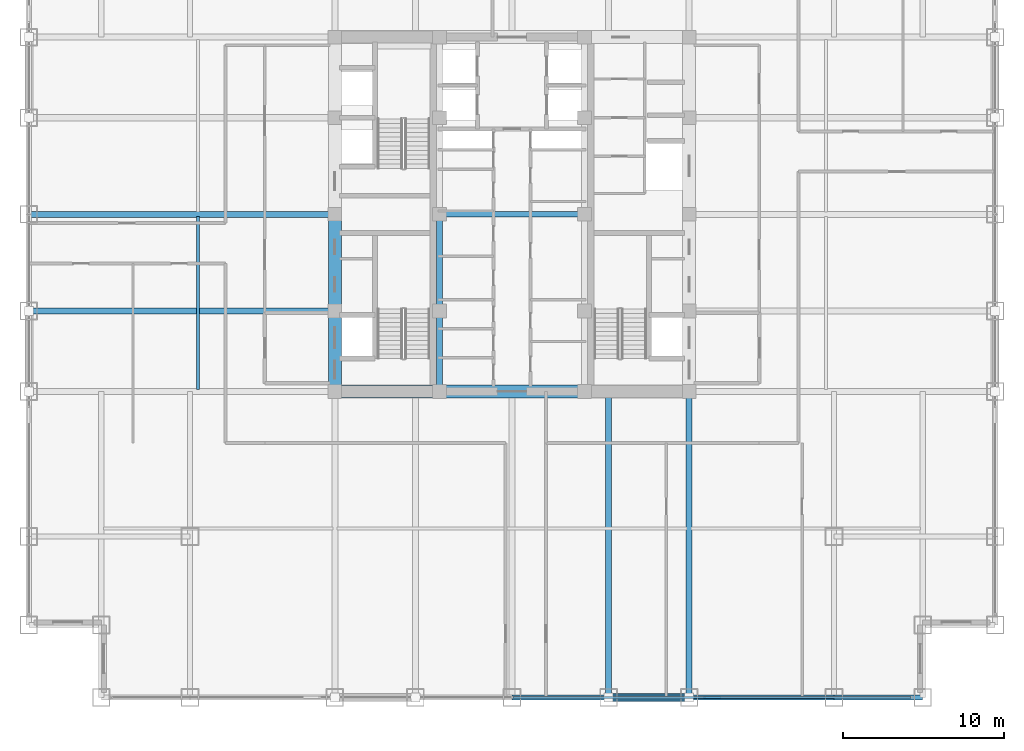
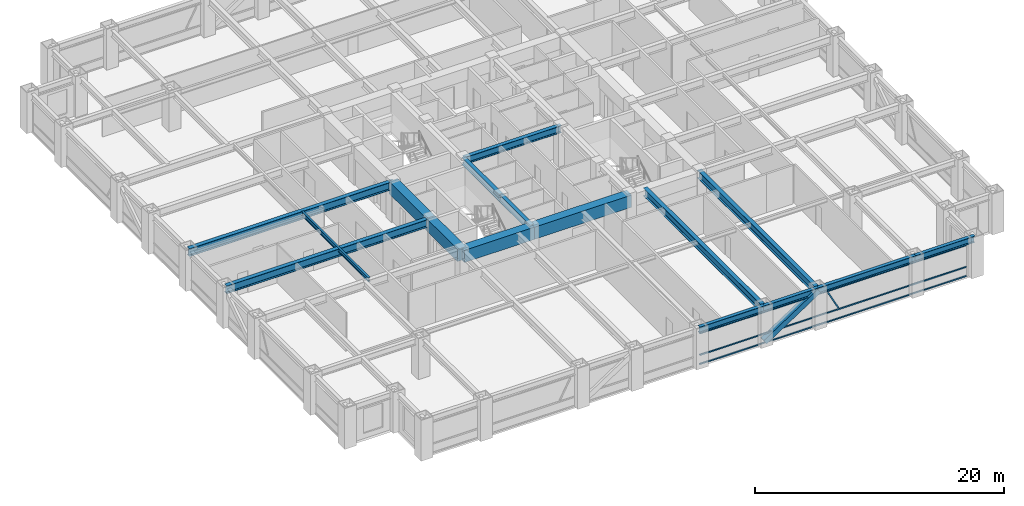
# One storey, part 7 of 25: 16 beams, 5 members, 1 element without a shape of its own.
"""IFC4 building model written with IfcOpenShell, lengths in metres."""

import ifcopenshell
import ifcopenshell.guid

model = None  # the IFC model being written
_history = None  # IfcOwnerHistory: only IFC2X3 demands one
_inside = {}  # id of a spatial element -> (the spatial element, [elements in it])
_under = {}  # id of a project, library or spatial element -> (it, [spatial elements below it])
_declared = {}  # id of a project -> (the project, [libraries it declares])
_typed = {}  # id of a type object -> (the type object, [elements of that type])
_made_of = {}  # id of a material, layer set ... -> (it, [elements and type objects made of it])


def new_model(schema):
    """Start an empty IFC model of exactly this schema.

    Asked for "IFC4X3", IfcOpenShell would pick the latest addendum, in which some entities
    have other attributes; the version numbers below select the first issue.
    IFC2X3 requires an IfcOwnerHistory on every rooted entity: one is made here for all.
    """
    global model, _history
    if schema == "IFC4X3":
        model = ifcopenshell.file(schema_version=(4, 3, 0, 0))
    else:
        model = ifcopenshell.file(schema=schema)
    _inside.clear()
    _under.clear()
    _declared.clear()
    _typed.clear()
    _made_of.clear()
    _history = None
    if model.schema == "IFC2X3":
        org = make("IfcOrganization", Name="unknown")
        user = make(
            "IfcPersonAndOrganization",
            ThePerson=make("IfcPerson", FamilyName="unknown"),
            TheOrganization=org,
        )
        app = make(
            "IfcApplication",
            ApplicationDeveloper=org,
            Version="unknown",
            ApplicationFullName="unknown",
            ApplicationIdentifier="unknown",
        )
        _history = make(
            "IfcOwnerHistory",
            OwningUser=user,
            OwningApplication=app,
            ChangeAction="ADDED",
            CreationDate=0,
        )
    return model


def make(cls, **values):
    """One entity of the class cls with the attributes given. An attribute that is None is left unset."""
    return model.create_entity(
        cls, **{name: value for name, value in values.items() if value is not None}
    )


def rooted(cls, **values):
    """An entity with a GlobalId (a new one), such as an element, a storey or a relation."""
    return make(cls, GlobalId=ifcopenshell.guid.new(), OwnerHistory=_history, **values)


def si_unit(unit_type, name, prefix=None):
    """IfcSIUnit, for example si_unit("LENGTHUNIT", "METRE", prefix="MILLI")."""
    return make("IfcSIUnit", UnitType=unit_type, Prefix=prefix, Name=name)


def assignment(units):
    """IfcUnitAssignment: the units of a project."""
    return None if units is None else make("IfcUnitAssignment", Units=units)


def point(xyz):
    """IfcCartesianPoint."""
    return None if xyz is None else make("IfcCartesianPoint", Coordinates=xyz)


def direction(xyz):
    """IfcDirection."""
    return None if xyz is None else make("IfcDirection", DirectionRatios=xyz)


def frame(location, z_axis=None, x_axis=None):
    """IfcAxis2Placement3D, a coordinate frame: its origin and axes. An axis left out is left unset."""
    return make(
        "IfcAxis2Placement3D",
        Location=point(location),
        Axis=direction(z_axis),
        RefDirection=direction(x_axis),
    )


def frame_2d(location, x_axis=None):
    """IfcAxis2Placement2D, a coordinate frame in the plane: its origin and x axis."""
    return make(
        "IfcAxis2Placement2D", Location=point(location), RefDirection=direction(x_axis)
    )


def origin():
    """The frame at (0, 0, 0) with its axes left unset."""
    return frame((0.0, 0.0, 0.0))


def origin_2d():
    """The frame at (0, 0) in the plane with its x axis left unset."""
    return frame_2d((0.0, 0.0))


def place(relative_to, where):
    """IfcLocalPlacement: puts the frame where relative to a parent placement (None: the world)."""
    return make(
        "IfcLocalPlacement", PlacementRelTo=relative_to, RelativePlacement=where
    )


def context(
    kind, dimensions, precision=None, world=None, true_north=None, identifier=None
):
    """IfcGeometricRepresentationContext, for example the 3D "Model" context."""
    return make(
        "IfcGeometricRepresentationContext",
        ContextIdentifier=identifier,
        ContextType=kind,
        CoordinateSpaceDimension=dimensions,
        Precision=precision,
        WorldCoordinateSystem=world,
        TrueNorth=true_north,
    )


def subcontext(parent, identifier, kind, view, scale=None):
    """IfcGeometricRepresentationSubContext, for example "Body" below "Model"."""
    return make(
        "IfcGeometricRepresentationSubContext",
        ContextIdentifier=identifier,
        ContextType=kind,
        ParentContext=parent,
        TargetScale=scale,
        TargetView=view,
    )


def project(units=None, contexts=None):
    """IfcProject with its units and contexts."""
    return rooted(
        "IfcProject",
        Name="project",
        RepresentationContexts=contexts,
        UnitsInContext=assignment(units),
    )


def spatial(cls, under=None, at=None, **own):
    """A site, building, storey or space (cls), placed at a placement, below another one or the project."""
    s = rooted(cls, ObjectPlacement=at, **own)
    if under is not None:
        _under.setdefault(under.id(), (under, []))[1].append(s)
    return s


def profile(cls, at=None, kind="AREA", **sizes):
    """A parametric profile (cls). Its sizes go by their IFC names, for example OverallWidth=200.0."""
    return make(cls, ProfileType=kind, Position=at, **sizes)


def rectangle(**sizes):
    """IfcRectangleProfileDef."""
    return profile("IfcRectangleProfileDef", **sizes)


def hollow_rectangle(**sizes):
    """IfcRectangleHollowProfileDef."""
    return profile("IfcRectangleHollowProfileDef", **sizes)


def i_section(**sizes):
    """IfcIShapeProfileDef."""
    return profile("IfcIShapeProfileDef", **sizes)


def extrude(swept, where, along, depth):
    """IfcExtrudedAreaSolid: the profile swept, set in the frame where, extruded along a direction by depth."""
    return make(
        "IfcExtrudedAreaSolid",
        SweptArea=swept,
        Position=where,
        ExtrudedDirection=direction(along),
        Depth=depth,
    )


def shape(context_of_items, identifier, shape_type, items):
    """IfcShapeRepresentation: the items that make up one representation, for example the "Body"."""
    return make(
        "IfcShapeRepresentation",
        ContextOfItems=context_of_items,
        RepresentationIdentifier=identifier,
        RepresentationType=shape_type,
        Items=items,
    )


def source(mapping_origin, context_of_items, identifier, shape_type, items):
    """IfcRepresentationMap: a shape defined once, which mapped items show again and again."""
    return make(
        "IfcRepresentationMap",
        MappingOrigin=mapping_origin,
        MappedRepresentation=shape(context_of_items, identifier, shape_type, items),
    )


def transform(
    local_origin,
    x_axis=None,
    y_axis=None,
    z_axis=None,
    scale=None,
    scale2=None,
    scale3=None,
    uniform=True,
):
    """IfcCartesianTransformationOperator3D, or its non-uniform kind. x_axis, y_axis, z_axis: its Axis1, 2, 3."""
    if uniform:
        return make(
            "IfcCartesianTransformationOperator3D",
            Axis1=direction(x_axis),
            Axis2=direction(y_axis),
            LocalOrigin=point(local_origin),
            Scale=scale,
            Axis3=direction(z_axis),
        )
    return make(
        "IfcCartesianTransformationOperator3DnonUniform",
        Axis1=direction(x_axis),
        Axis2=direction(y_axis),
        LocalOrigin=point(local_origin),
        Scale=scale,
        Axis3=direction(z_axis),
        Scale2=scale2,
        Scale3=scale3,
    )


def mapped(mapping_source, mapping_target):
    """IfcMappedItem: shows the shape of a source again, moved by a transform."""
    return make(
        "IfcMappedItem", MappingSource=mapping_source, MappingTarget=mapping_target
    )


def material(Name=None, Category=None):
    """IfcMaterial."""
    return make("IfcMaterial", Name=Name, Category=Category)


def material_profile(
    of_material, cross_section, Name=None, Category=None, Priority=None
):
    """IfcMaterialProfile: a cross section and its material."""
    return make(
        "IfcMaterialProfile",
        Name=Name,
        Material=of_material,
        Profile=cross_section,
        Priority=Priority,
        Category=Category,
    )


def profile_set(profiles, Name=None, composite=None):
    """IfcMaterialProfileSet."""
    return make(
        "IfcMaterialProfileSet",
        Name=Name,
        MaterialProfiles=profiles,
        CompositeProfile=composite,
    )


def made_of(thing, what):
    """Note that an element or type object is made of a material, layer set ...; save() writes the relation."""
    if what is not None:
        _made_of.setdefault(what.id(), (what, []))[1].append(thing)
    return thing


def type_object(cls, material=None, **own):
    """A type object (cls), such as IfcWallType, which elements share."""
    return made_of(rooted(cls, **own), material)


def element(
    cls,
    number,
    at=None,
    inside=None,
    cuts=None,
    type_object=None,
    material=None,
    context=None,
    identifier="Body",
    shape_type=None,
    held_by="IfcProductDefinitionShape",
    body=None,
    shapes=None,
    **own,
):
    """One element of the class cls, such as IfcWall. Its Tag is "e" and its number.

    at: its placement. inside: the storey or other place that contains it. cuts: it is an
    opening in that element (IfcRelVoidsElement). A single representation is given by context,
    identifier, shape_type and body (its items); several are given by shapes. held_by: the class
    of the entity that holds the representations. save() writes the other relations.
    """
    e = rooted(cls, Tag="e%d" % number, ObjectPlacement=at, **own)
    if body is not None:
        shapes = [shape(context, identifier, shape_type, body)]
    if shapes is not None:
        e.Representation = make(held_by, Representations=shapes)
    if inside is not None:
        _inside.setdefault(inside.id(), (inside, []))[1].append(e)
    if cuts is not None:
        rooted(
            "IfcRelVoidsElement", RelatingBuildingElement=cuts, RelatedOpeningElement=e
        )
    if type_object is not None:
        _typed.setdefault(type_object.id(), (type_object, []))[1].append(e)
    return made_of(e, material)


def aggregate(whole, parts):
    """IfcRelAggregates: a whole, such as a stair, and the parts it consists of."""
    return rooted("IfcRelAggregates", RelatingObject=whole, RelatedObjects=parts)


def save(model, path):
    """Write the relations noted so far, then the file.

    IfcRelAggregates (storeys below a building ...), IfcRelContainedInSpatialStructure (elements
    in a storey), IfcRelDefinesByType, IfcRelAssociatesMaterial and IfcRelDeclares: one each for
    every whole, place, type object, material and project.
    """
    for whole, parts in _under.values():
        aggregate(whole, parts)
    for where, things in _inside.values():
        rooted(
            "IfcRelContainedInSpatialStructure",
            RelatedElements=things,
            RelatingStructure=where,
        )
    for kind, things in _typed.values():
        rooted("IfcRelDefinesByType", RelatedObjects=things, RelatingType=kind)
    for what, things in _made_of.values():
        rooted("IfcRelAssociatesMaterial", RelatedObjects=things, RelatingMaterial=what)
    for by, libraries in _declared.values():
        rooted("IfcRelDeclares", RelatingContext=by, RelatedDefinitions=libraries)
    model.write(path)


model = new_model("IFC4")

# Units and contexts
model_context = context("Model", 3, precision=1e-05, world=origin(), true_north=direction((0.0, 1.0)))
body_context = subcontext(model_context, "Body", "Model", "MODEL_VIEW")
ifc_project = project(units=[si_unit("LENGTHUNIT", "METRE"), si_unit("AREAUNIT", "SQUARE_METRE"), si_unit("VOLUMEUNIT", "CUBIC_METRE"), si_unit("PLANEANGLEUNIT", "RADIAN"), si_unit("MASSUNIT", "GRAM", prefix="KILO")], contexts=[model_context])

# Site, building, storey
site_placement = place(None, origin())
site = spatial("IfcSite", under=ifc_project, at=site_placement, CompositionType="ELEMENT")
building_placement = place(site_placement, origin())
building = spatial("IfcBuilding", under=site, at=building_placement, Name="Khorayat Bourse Tower", CompositionType="ELEMENT")
storey_placement = place(building_placement, frame((0.0, 0.0, 199.10009765625)))
storey = spatial("IfcBuildingStorey", under=building, at=storey_placement, Name="L46", CompositionType="ELEMENT", Elevation=199.10009765625)

# Beams
ifc_material_1 = material(Name="Concrete C72/90", Category="concrete")
ifc_material_profile_1 = material_profile(ifc_material_1, rectangle(XDim=0.800048828125, YDim=1.199951171875, at=origin_2d()), Name="RC 800x1200")
ifc_profile_set_1 = profile_set([ifc_material_profile_1], Name="Concrete C72/90")
beam_type_1 = type_object("IfcBeamType", Name="BM-COUP-1200", PredefinedType="BEAM", material=ifc_profile_set_1)
shared_shape_1 = source(origin(), body_context, "Body", "SweptSolid", [
    extrude(rectangle(XDim=0.800048828125, YDim=1.199951171875, at=origin_2d()), origin(), (0.0, 0.0, 1.0), 5.0),
])
beam_1_placement = place(storey_placement, frame((-11.0, -11.0, 3.179931640625), z_axis=(0.0, 1.0, 0.0), x_axis=(-1.0, 0.0, 0.0)))
element("IfcBeam", 1, at=beam_1_placement, inside=storey, type_object=beam_type_1, Name="L46 BM-COUP-1200 BM-L46-CRX-01", PredefinedType="BEAM", context=body_context, shape_type="MappedRepresentation", body=[
    mapped(shared_shape_1, transform((0.0, 0.0, 0.0), scale=1.0)),
])
shared_shape_2 = source(origin(), body_context, "Body", "SweptSolid", [
    extrude(rectangle(XDim=0.800048828125, YDim=1.199951171875, at=origin_2d()), origin(), (0.0, 0.0, 1.0), 6.0),
])
beam_2_placement = place(storey_placement, frame((-11.0, -6.0, 3.179931640625), z_axis=(0.0, 1.0, 0.0), x_axis=(-1.0, 0.0, 0.0)))
element("IfcBeam", 2, at=beam_2_placement, inside=storey, type_object=beam_type_1, Name="L46 BM-COUP-1200 BM-L46-CRX-02", PredefinedType="BEAM", context=body_context, shape_type="MappedRepresentation", body=[
    mapped(shared_shape_2, transform((0.0, 0.0, 0.0), scale=1.0)),
])
ifc_material_2 = material(Name="Steel ASTM A992 Grade 50", Category="steel")
ifc_material_profile_2 = material_profile(ifc_material_2, i_section(OverallWidth=0.35498046875, OverallDepth=0.695068359375, WebThickness=0.015380859375, FlangeThickness=0.02490234375, FilletRadius=0.01806640625, at=origin_2d()), Name="W690X217")
ifc_profile_set_2 = profile_set([ifc_material_profile_2], Name="Steel ASTM A992 Grade 50")
beam_type_2 = type_object("IfcBeamType", Name="BM-GIRD-690", PredefinedType="BEAM", material=ifc_profile_set_2)
shared_shape_3 = source(origin(), body_context, "Body", "SweptSolid", [
    extrude(i_section(OverallWidth=0.35498046875, OverallDepth=0.695068359375, WebThickness=0.015380859375, FlangeThickness=0.02490234375, FilletRadius=0.01806640625, at=origin_2d()), origin(), (0.0, 0.0, 1.0), 5.0),
])
beam_3_placement = place(storey_placement, frame((-4.5, -11.0, 3.432373046875), z_axis=(0.0, 1.0, 0.0), x_axis=(-1.0, 0.0, 0.0)))
element("IfcBeam", 3, at=beam_3_placement, inside=storey, type_object=beam_type_2, Name="L46 BM-GIRD-690 BM-L46-CRX-05", PredefinedType="BEAM", context=body_context, shape_type="MappedRepresentation", body=[
    mapped(shared_shape_3, transform((0.0, 0.0, 0.0), scale=1.0)),
])
shared_shape_4 = source(origin(), body_context, "Body", "SweptSolid", [
    extrude(i_section(OverallWidth=0.35498046875, OverallDepth=0.695068359375, WebThickness=0.015380859375, FlangeThickness=0.02490234375, FilletRadius=0.01806640625, at=origin_2d()), origin(), (0.0, 0.0, 1.0), 6.0),
])
beam_4_placement = place(storey_placement, frame((-4.5, -6.0, 3.432373046875), z_axis=(0.0, 1.0, 0.0), x_axis=(-1.0, 0.0, 0.0)))
element("IfcBeam", 4, at=beam_4_placement, inside=storey, type_object=beam_type_2, Name="L46 BM-GIRD-690 BM-L46-CRX-06", PredefinedType="BEAM", context=body_context, shape_type="MappedRepresentation", body=[
    mapped(shared_shape_4, transform((0.0, 0.0, 0.0), scale=1.0)),
])
shared_shape_5 = source(origin(), body_context, "Body", "SweptSolid", [
    extrude(rectangle(XDim=0.800048828125, YDim=1.199951171875, at=origin_2d()), origin(), (0.0, 0.0, 1.0), 6.5),
])
beam_5_placement = place(storey_placement, frame((-11.0, -11.0, 3.179931640625), z_axis=(1.0, 0.0, 0.0), x_axis=(0.0, 1.0, 0.0)))
element("IfcBeam", 5, at=beam_5_placement, inside=storey, type_object=beam_type_1, Name="L46 BM-COUP-1200 BM-L46-CRY-17", PredefinedType="BEAM", context=body_context, shape_type="MappedRepresentation", body=[
    mapped(shared_shape_5, transform((0.0, 0.0, 0.0), scale=1.0)),
])
shared_shape_6 = source(origin(), body_context, "Body", "SweptSolid", [
    extrude(rectangle(XDim=0.800048828125, YDim=1.199951171875, at=origin_2d()), origin(), (0.0, 0.0, 1.0), 9.0),
])
beam_6_placement = place(storey_placement, frame((-4.5, -11.0, 3.179931640625), z_axis=(1.0, 0.0, 0.0), x_axis=(0.0, 1.0, 0.0)))
element("IfcBeam", 6, at=beam_6_placement, inside=storey, type_object=beam_type_1, Name="L46 BM-COUP-1200 BM-L46-CRY-18", PredefinedType="BEAM", context=body_context, shape_type="MappedRepresentation", body=[
    mapped(shared_shape_6, transform((0.0, 0.0, 0.0), scale=1.0)),
])
shared_shape_7 = source(origin(), body_context, "Body", "SweptSolid", [
    extrude(i_section(OverallWidth=0.35498046875, OverallDepth=0.695068359375, WebThickness=0.015380859375, FlangeThickness=0.02490234375, FilletRadius=0.01806640625, at=origin_2d()), origin(), (0.0, 0.0, 1.0), 9.0),
])
beam_7_placement = place(storey_placement, frame((-4.5, 0.0, 3.432373046875), z_axis=(1.0, 0.0, 0.0), x_axis=(0.0, 1.0, 0.0)))
element("IfcBeam", 7, at=beam_7_placement, inside=storey, type_object=beam_type_2, Name="L46 BM-GIRD-690 BM-L46-CRY-23", PredefinedType="BEAM", context=body_context, shape_type="MappedRepresentation", body=[
    mapped(shared_shape_7, transform((0.0, 0.0, 0.0), scale=1.0)),
])
ifc_material_profile_3 = material_profile(ifc_material_2, i_section(OverallWidth=0.381103515625, OverallDepth=0.77294921875, WebThickness=0.0166015625, FlangeThickness=0.027587890625, FilletRadius=0.01806640625, at=origin_2d()), Name="W760X257")
ifc_profile_set_3 = profile_set([ifc_material_profile_3], Name="Steel ASTM A992 Grade 50")
beam_type_3 = type_object("IfcBeamType", Name="BM-GIRD-760", PredefinedType="BEAM", material=ifc_profile_set_3)
shared_shape_8 = source(origin(), body_context, "Body", "SweptSolid", [
    extrude(i_section(OverallWidth=0.381103515625, OverallDepth=0.77294921875, WebThickness=0.0166015625, FlangeThickness=0.027587890625, FilletRadius=0.01806640625, at=origin_2d()), origin(), (0.0, 0.0, 1.0), 19.0),
])
for number, where, z_axis, x_axis, name in (
    (8, (6.0, -30.0, 3.393310546875), (0.0, 1.0, 0.0), (-1.0, 0.0, 0.0), "L46 BM-GIRD-760 BM-L46-RADY-071"),
    (9, (11.0, -30.0, 3.393310546875), (0.0, 1.0, 0.0), (-1.0, 0.0, 0.0), "L46 BM-GIRD-760 BM-L46-RADY-073"),
    (10, (-30.0, -6.0, 3.393310546875), (1.0, 0.0, 0.0), (0.0, 1.0, 0.0), "L46 BM-GIRD-760 BM-L46-RADX-077"),
    (11, (-30.0, 0.0, 3.393310546875), (1.0, 0.0, 0.0), (0.0, 1.0, 0.0), "L46 BM-GIRD-760 BM-L46-RADX-079"),
):
    element("IfcBeam", number, at=place(storey_placement, frame(where, z_axis=z_axis, x_axis=x_axis)), inside=storey, type_object=beam_type_3, Name=name, PredefinedType="BEAM", context=body_context, shape_type="MappedRepresentation", body=[
        mapped(shared_shape_8, transform((0.0, 0.0, 0.0), scale=1.0)),
    ])
ifc_material_profile_4 = material_profile(ifc_material_2, i_section(OverallWidth=0.180908203125, OverallDepth=0.4169921875, WebThickness=0.010986328125, FlangeThickness=0.018310546875, FilletRadius=0.011962890625, at=origin_2d()), Name="W410X85")
ifc_profile_set_4 = profile_set([ifc_material_profile_4], Name="Steel ASTM A992 Grade 50")
beam_type_4 = type_object("IfcBeamType", Name="BM-JOIST-410", PredefinedType="JOIST", material=ifc_profile_set_4)
shared_shape_9 = source(origin(), body_context, "Body", "SweptSolid", [
    extrude(i_section(OverallWidth=0.180908203125, OverallDepth=0.4169921875, WebThickness=0.010986328125, FlangeThickness=0.018310546875, FilletRadius=0.011962890625, at=origin_2d()), origin(), (0.0, 0.0, 1.0), 10.740234375),
])
beam_8_placement = place(storey_placement, frame((-19.5, -10.8701171875, 3.5712890625), z_axis=(0.0, 1.0, 0.0), x_axis=(-1.0, 0.0, 0.0)))
element("IfcBeam", 12, at=beam_8_placement, inside=storey, type_object=beam_type_4, Name="L46 BM-JOIST-410 BM-L46-JSTY-102", PredefinedType="JOIST", context=body_context, shape_type="MappedRepresentation", body=[
    mapped(shared_shape_9, transform((0.0, 0.0, 0.0), scale=1.0)),
])
ifc_material_profile_5 = material_profile(ifc_material_2, i_section(OverallWidth=0.324951171875, OverallDepth=0.615966796875, WebThickness=0.013916015625, FlangeThickness=0.021484375, FilletRadius=0.01611328125, at=origin_2d()), Name="W610X174")
ifc_profile_set_5 = profile_set([ifc_material_profile_5], Name="Steel ASTM A992 Grade 50")
beam_type_5 = type_object("IfcBeamType", Name="BM-SPAN-610", PredefinedType="SPANDREL", material=ifc_profile_set_5)
shared_shape_10 = source(origin(), body_context, "Body", "SweptSolid", [
    extrude(i_section(OverallWidth=0.324951171875, OverallDepth=0.615966796875, WebThickness=0.013916015625, FlangeThickness=0.021484375, FilletRadius=0.01611328125, at=origin_2d()), origin(), (0.0, 0.0, 1.0), 5.5),
])
beam_9_placement = place(storey_placement, frame((20.0, -30.0, 3.471923828125), z_axis=(1.0, 0.0, 0.0), x_axis=(0.0, 1.0, 0.0)))
element("IfcBeam", 13, at=beam_9_placement, inside=storey, type_object=beam_type_5, Name="L46 BM-SPAN-610 BM-L46-SPN-031", PredefinedType="SPANDREL", context=body_context, shape_type="MappedRepresentation", body=[
    mapped(shared_shape_10, transform((0.0, 0.0, 0.0), scale=1.0)),
])
shared_shape_11 = source(origin(), body_context, "Body", "SweptSolid", [
    extrude(i_section(OverallWidth=0.324951171875, OverallDepth=0.615966796875, WebThickness=0.013916015625, FlangeThickness=0.021484375, FilletRadius=0.01611328125, at=origin_2d()), origin(), (0.0, 0.0, 1.0), 9.0),
])
beam_10_placement = place(storey_placement, frame((11.0, -30.0, 3.471923828125), z_axis=(1.0, 0.0, 0.0), x_axis=(0.0, 1.0, 0.0)))
element("IfcBeam", 14, at=beam_10_placement, inside=storey, type_object=beam_type_5, Name="L46 BM-SPAN-610 BM-L46-SPN-030", PredefinedType="SPANDREL", context=body_context, shape_type="MappedRepresentation", body=[
    mapped(shared_shape_11, transform((0.0, 0.0, 0.0), scale=1.0)),
])
shared_shape_12 = source(origin(), body_context, "Body", "SweptSolid", [
    extrude(i_section(OverallWidth=0.324951171875, OverallDepth=0.615966796875, WebThickness=0.013916015625, FlangeThickness=0.021484375, FilletRadius=0.01611328125, at=origin_2d()), origin(), (0.0, 0.0, 1.0), 5.0),
])
beam_11_placement = place(storey_placement, frame((6.0, -30.0, 3.471923828125), z_axis=(1.0, 0.0, 0.0), x_axis=(0.0, 1.0, 0.0)))
element("IfcBeam", 15, at=beam_11_placement, inside=storey, type_object=beam_type_5, Name="L46 BM-SPAN-610 BM-L46-SPN-029", PredefinedType="SPANDREL", context=body_context, shape_type="MappedRepresentation", body=[
    mapped(shared_shape_12, transform((0.0, 0.0, 0.0), scale=1.0)),
])
shared_shape_13 = source(origin(), body_context, "Body", "SweptSolid", [
    extrude(i_section(OverallWidth=0.324951171875, OverallDepth=0.615966796875, WebThickness=0.013916015625, FlangeThickness=0.021484375, FilletRadius=0.01611328125, at=origin_2d()), origin(), (0.0, 0.0, 1.0), 6.0),
])
beam_12_placement = place(storey_placement, frame((0.0, -30.0, 3.471923828125), z_axis=(1.0, 0.0, 0.0), x_axis=(0.0, 1.0, 0.0)))
element("IfcBeam", 16, at=beam_12_placement, inside=storey, type_object=beam_type_5, Name="L46 BM-SPAN-610 BM-L46-SPN-028", PredefinedType="SPANDREL", context=body_context, shape_type="MappedRepresentation", body=[
    mapped(shared_shape_13, transform((0.0, 0.0, 0.0), scale=1.0)),
])

# Member
ifc_material_3 = material(Name="Steel EN 10025-4 S460M", Category="steel")
ifc_material_profile_6 = material_profile(ifc_material_3, hollow_rectangle(XDim=0.5, YDim=0.5, WallThickness=0.028076171875, at=origin_2d()), Name="HSS 500x500x28")
ifc_profile_set_6 = profile_set([ifc_material_profile_6], Name="Steel EN 10025-4 S460M")
member_type_1 = type_object("IfcMemberType", Name="MBR-TUBE-500", PredefinedType="BRACE", material=ifc_profile_set_6)
shared_shape_14 = source(origin(), body_context, "Body", "SweptSolid", [
    extrude(hollow_rectangle(XDim=0.5, YDim=0.5, WallThickness=0.028076171875, at=origin_2d()), origin(), (0.0, 0.0, 1.0), 5.979736328125),
])
member_1_placement = place(storey_placement, frame((6.0, -30.0, 0.25), z_axis=(0.836160261256, 0.0, 0.548485202623), x_axis=(0.0, 1.0, 0.0)))
element("IfcMember", 17, at=member_1_placement, inside=storey, type_object=member_type_1, Name="L46 Perimeter Tube Brace 02", PredefinedType="BRACE", context=body_context, shape_type="MappedRepresentation", body=[
    mapped(shared_shape_14, transform((0.0, 0.0, 0.0), scale=1.0)),
])

# Curtain wall, members
ifc_material_4 = material(Name="Aluminium EN AW-6063 T6", Category="aluminium")
curtain_wall_type = type_object("IfcCurtainWallType", Name="CW-SYS-03", PredefinedType="NOTDEFINED", material=ifc_material_4)
curtain_wall_placement = place(storey_placement, origin())
curtain_wall = element("IfcCurtainWall", 18, at=curtain_wall_placement, inside=storey, type_object=curtain_wall_type, Name="L46 Curtain Wall CW-L46-S1", PredefinedType="NOTDEFINED")
ifc_material_profile_7 = material_profile(ifc_material_4, hollow_rectangle(XDim=0.1201171875, YDim=0.1201171875, WallThickness=0.0048828125, at=origin_2d()), Name="ALU 120x120x5")
ifc_profile_set_7 = profile_set([ifc_material_profile_7], Name="Aluminium EN AW-6063 T6")
member_type_2 = type_object("IfcMemberType", Name="CWM-DIAG-120", PredefinedType="MULLION", material=ifc_profile_set_7)
shared_shape_15 = source(origin(), body_context, "Body", "SweptSolid", [
    extrude(hollow_rectangle(XDim=0.1201171875, YDim=0.1201171875, WallThickness=0.0048828125, at=origin_2d()), origin(), (0.0, 0.0, 1.0), 2.079345703125),
])
member_2_placement = place(storey_placement, frame((12.904296875, -30.0, 1.08984375), z_axis=(-0.465760949701, 0.0, 0.884910581773), x_axis=(0.0, -1.0, 0.0)))
member_2 = element("IfcMember", 19, at=member_2_placement, type_object=member_type_2, Name="CW-L46-S1 Faceted Diagonal Mullion 2", PredefinedType="MULLION", context=body_context, shape_type="MappedRepresentation", body=[
    mapped(shared_shape_15, transform((0.0, 0.0, 0.0), scale=1.0)),
])
ifc_material_profile_8 = material_profile(ifc_material_4, hollow_rectangle(XDim=0.1201171875, YDim=0.1201171875, WallThickness=0.0048828125, at=origin_2d()), Name="ALU 120x120x5")
ifc_profile_set_8 = profile_set([ifc_material_profile_8], Name="Aluminium EN AW-6063 T6")
member_type_3 = type_object("IfcMemberType", Name="CWT-HORZ-120", PredefinedType="USERDEFINED", material=ifc_profile_set_8)
shared_shape_16 = source(origin(), body_context, "Body", "SweptSolid", [
    extrude(hollow_rectangle(XDim=0.1201171875, YDim=0.1201171875, WallThickness=0.0048828125, at=origin_2d()), origin(), (0.0, 0.0, 1.0), 24.719970703125),
])
member_3_placement = place(storey_placement, frame((0.06005859375, -30.0, 0.059814453125), z_axis=(1.0, 0.0, 0.0), x_axis=(0.0, 1.0, 0.0)))
member_3 = element("IfcMember", 20, at=member_3_placement, type_object=member_type_3, Name="CW-L46-S1 Horizontal Transom 2-1", ObjectType="TRANSOM", PredefinedType="USERDEFINED", context=body_context, shape_type="MappedRepresentation", body=[
    mapped(shared_shape_16, transform((0.0, 0.0, 0.0), scale=1.0)),
])
member_4_placement = place(storey_placement, frame((0.06005859375, -30.0, 0.949951171875), z_axis=(1.0, 0.0, 0.0), x_axis=(0.0, 1.0, 0.0)))
member_4 = element("IfcMember", 21, at=member_4_placement, type_object=member_type_3, Name="CW-L46-S1 Horizontal Transom 2-2", ObjectType="TRANSOM", PredefinedType="USERDEFINED", context=body_context, shape_type="MappedRepresentation", body=[
    mapped(shared_shape_16, transform((0.0, 0.0, 0.0), scale=1.0)),
])
member_5_placement = place(storey_placement, frame((0.06005859375, -30.0, 3.06982421875), z_axis=(1.0, 0.0, 0.0), x_axis=(0.0, 1.0, 0.0)))
member_5 = element("IfcMember", 22, at=member_5_placement, type_object=member_type_3, Name="CW-L46-S1 Horizontal Transom 2-3", ObjectType="TRANSOM", PredefinedType="USERDEFINED", context=body_context, shape_type="MappedRepresentation", body=[
    mapped(shared_shape_16, transform((0.0, 0.0, 0.0), scale=1.0)),
])
aggregate(curtain_wall, [member_3, member_4, member_5, member_2])

save(model, "model.ifc")
